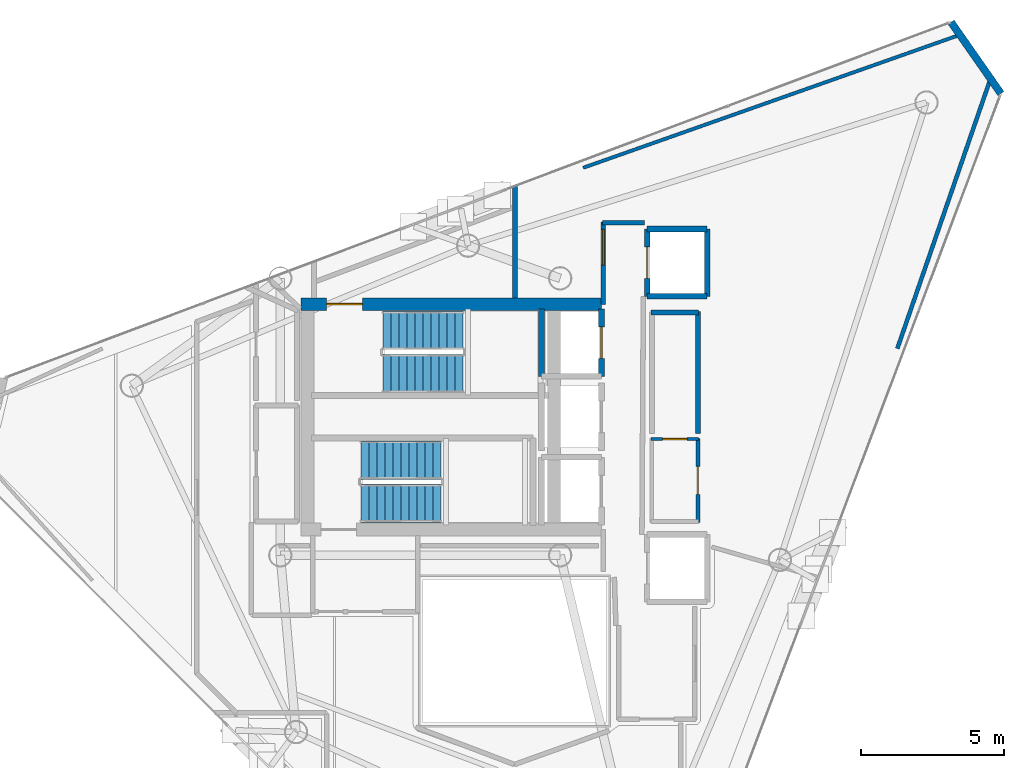
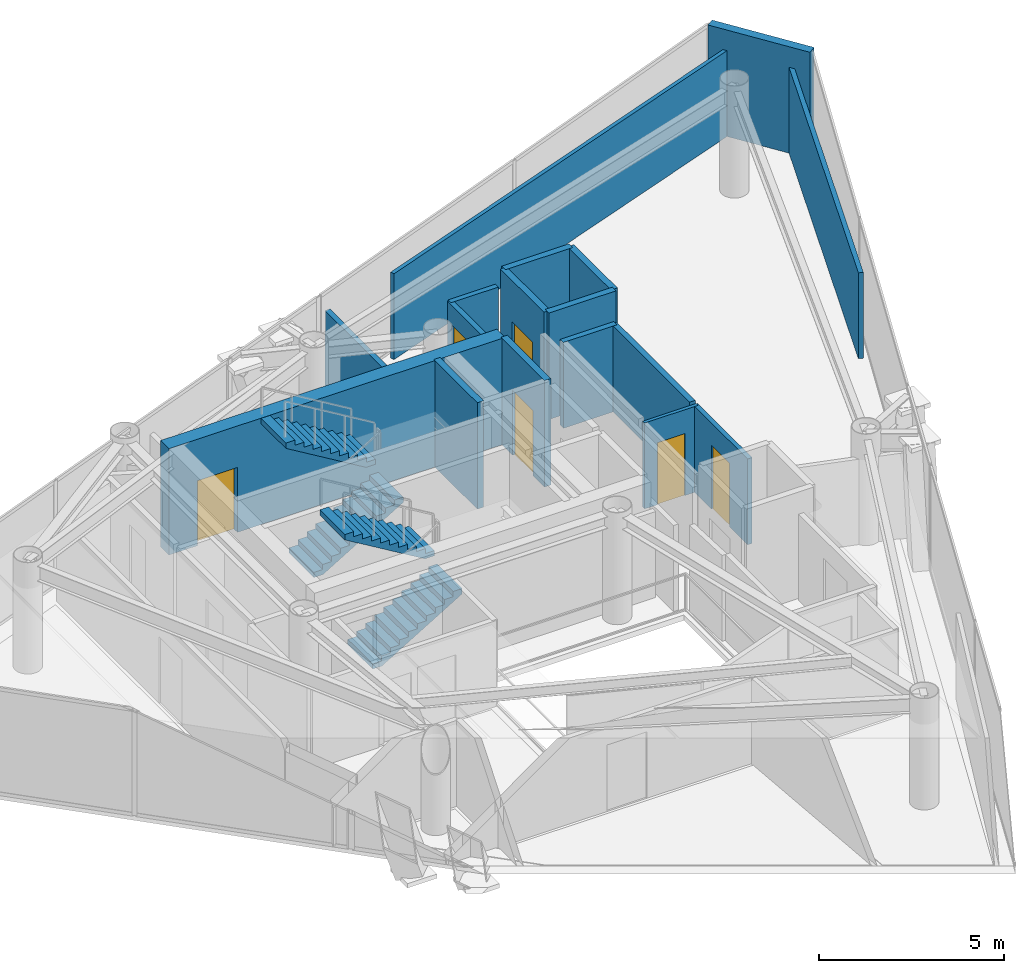
# One storey, part 17 of 19: 17 walls, 6 doors, 4 stair flights, 6 openings, 2 elements without a shape of their own.
"""IFC4 building model written with IfcOpenShell, lengths in metres."""

from ifc_helpers import new_model, si_unit, direction, frame, frame_2d, origin, place, context, subcontext, project, spatial, polyline, rectangle, outline, extrude, material, layer, layer_set, type_object, element, fill, aggregate, save


model = new_model("IFC4")

# Units and contexts
model_context = context("Model", 3, precision=1e-05, world=origin(), true_north=direction((0.0, 1.0)))
body_context = subcontext(model_context, "Body", "Model", "MODEL_VIEW")
ifc_project = project(units=[si_unit("LENGTHUNIT", "METRE"), si_unit("AREAUNIT", "SQUARE_METRE"), si_unit("VOLUMEUNIT", "CUBIC_METRE"), si_unit("PLANEANGLEUNIT", "RADIAN"), si_unit("MASSUNIT", "GRAM", prefix="KILO")], contexts=[model_context])

# Site, building, storey
site_placement = place(None, origin())
site = spatial("IfcSite", under=ifc_project, at=site_placement, CompositionType="ELEMENT")
building_placement = place(site_placement, origin())
building = spatial("IfcBuilding", under=site, at=building_placement, Name="Qianvela Tower", CompositionType="ELEMENT")
storey_placement = place(building_placement, frame((0.0, 0.0, 340.699951171875)))
storey = spatial("IfcBuildingStorey", under=building, at=storey_placement, Name="L88", CompositionType="ELEMENT", Elevation=340.699951171875)

# Wall
ifc_material_1 = material(Name="Terracotta Cladding on Concrete C40", Category="masonry")
ifc_layer_1 = layer(ifc_material_1, 0.260009765625)
ifc_layer_set_1 = layer_set([ifc_layer_1], Name="Terracotta Cladding on Concrete C40")
wall_type_1 = type_object("IfcWallType", Name="TERRACOTTA-WALL-260", PredefinedType="SOLIDWALL", material=ifc_layer_set_1)
wall_1_placement = place(storey_placement, frame((53.83642578125, 40.02099609375, 0.0), z_axis=(0.0, 0.0, 1.0), x_axis=(-0.572667183725, 0.819787958368, 0.0)))
element("IfcWall", 1, at=wall_1_placement, inside=storey, type_object=wall_type_1, Name="L88 Terracotta Chamfer Facet Wall 1", PredefinedType="SOLIDWALL", context=body_context, shape_type="SweptSolid", body=[
    extrude(rectangle(XDim=3.05078125, YDim=0.260009765625, at=frame_2d((1.525390625, 0.0))), origin(), (0.0, 0.0, 1.0), 3.52001953125),
])

# Wall, opening, door
ifc_material_2 = material(Name="Concrete C50", Category="concrete")
ifc_layer_2 = layer(ifc_material_2, 0.449951171875)
ifc_layer_set_2 = layer_set([ifc_layer_2], Name="Concrete C50")
wall_type_2 = type_object("IfcWallType", Name="WT-CORE-450", PredefinedType="SHEAR", material=ifc_layer_set_2)
wall_2_placement = place(storey_placement, frame((29.330078125, 32.64501953125, 0.0), z_axis=(0.0, 0.0, 1.0), x_axis=(1.0, 0.0, 0.0)))
wall_2 = element("IfcWall", 2, at=wall_2_placement, inside=storey, type_object=wall_type_2, Name="L88 North Core Shear Wall", PredefinedType="SHEAR", context=body_context, shape_type="SweptSolid", body=[
    extrude(rectangle(XDim=10.52001953125, YDim=0.449951171875, at=frame_2d((5.260009765625, 0.0))), origin(), (0.0, 0.0, 1.0), 3.52001953125),
])
opening_1_placement = place(wall_2_placement, frame((0.89501953125, 0.0, 0.0)))
opening_1 = element("IfcOpeningElement", 3, at=opening_1_placement, cuts=wall_2, Name="Opening D-ST1", PredefinedType="OPENING", context=body_context, shape_type="SweptSolid", body=[
    extrude(rectangle(XDim=1.25, YDim=2.14990234375, at=frame_2d((0.625, 1.074951171875))), frame((0.0, 0.23486328125, 0.0), z_axis=(0.0, -1.0, 0.0), x_axis=(1.0, 0.0, 0.0)), (0.0, 0.0, 1.0), 0.469970703125),
])
ifc_material_3 = material(Name="Galvanised Fire Steel Q355B", Category="steel")
door_type_1 = type_object("IfcDoorType", Name="DT-STAIR-FD90", OperationType="NOTDEFINED", PredefinedType="DOOR", material=ifc_material_3)
door_1_placement = place(opening_1_placement, origin())
door_1 = element("IfcDoor", 4, at=door_1_placement, inside=storey, type_object=door_type_1, Name="L88 Stair ST-1 Exit Door", OperationType="SINGLE_SWING_RIGHT", OverallHeight=2.14990234375, OverallWidth=1.25, PredefinedType="DOOR", context=body_context, shape_type="SweptSolid", body=[
    extrude(rectangle(XDim=1.25, YDim=2.14990234375, at=frame_2d((0.625, 1.074951171875))), frame((0.0, 0.02490234375, 0.0), z_axis=(0.0, -1.0, 0.0), x_axis=(1.0, 0.0, 0.0)), (0.0, 0.0, 1.0), 0.050048828125),
])
fill(opening_1, door_1)

# Wall
ifc_material_4 = material(Name="Fire-Rated Gypsum and Concrete Block", Category="concrete")
ifc_layer_3 = layer(ifc_material_4, 0.159912109375)
ifc_layer_set_3 = layer_set([ifc_layer_3], Name="Fire-Rated Gypsum and Concrete Block")
wall_type_3 = type_object("IfcWallType", Name="WT-CORR-160", PredefinedType="PARTITIONING", material=ifc_layer_set_3)
wall_3_placement = place(storey_placement, frame((36.819091796875, 36.800048828125, 0.0), z_axis=(0.0, 0.0, 1.0), x_axis=(0.0, -1.0, 0.0)))
element("IfcWall", 5, at=wall_3_placement, inside=storey, type_object=wall_type_3, Name="L88 Partition 2", PredefinedType="PARTITIONING", context=body_context, shape_type="SweptSolid", body=[
    extrude(rectangle(XDim=3.942138671875, YDim=0.159912109375, at=frame_2d((1.97119140625, 0.0))), origin(), (0.0, 0.0, 1.0), 2.840087890625),
])

# Wall, opening, door
wall_4_placement = place(storey_placement, frame((39.910888671875, 32.639892578125, 0.0), z_axis=(0.0, 0.0, 1.0), x_axis=(0.0, 1.0, 0.0)))
wall_4 = element("IfcWall", 6, at=wall_4_placement, inside=storey, type_object=wall_type_3, Name="L88 Partition 12", PredefinedType="PARTITIONING", context=body_context, shape_type="SweptSolid", body=[
    extrude(rectangle(XDim=2.880126953125, YDim=0.159912109375, at=frame_2d((1.43994140625, 0.0))), origin(), (0.0, 0.0, 1.0), 2.840087890625),
])
opening_2_placement = place(wall_4_placement, frame((1.375, 0.0, 0.0)))
opening_2 = element("IfcOpeningElement", 7, at=opening_2_placement, cuts=wall_4, Name="Opening D-LG1", PredefinedType="OPENING", context=body_context, shape_type="SweptSolid", body=[
    extrude(rectangle(XDim=1.25, YDim=2.199951171875, at=frame_2d((0.625, 1.10009765625))), frame((0.0, 0.08984375, 0.0), z_axis=(0.0, -1.0, 0.0), x_axis=(1.0, 0.0, 0.0)), (0.0, 0.0, 1.0), 0.179931640625),
])
ifc_material_5 = material(Name="Anodised Aluminium Acoustic Glass Door", Category="aluminium")
door_type_2 = type_object("IfcDoorType", Name="DT-LOUNGE-1250", OperationType="NOTDEFINED", PredefinedType="DOOR", material=ifc_material_5)
door_2_placement = place(opening_2_placement, origin())
door_2 = element("IfcDoor", 8, at=door_2_placement, inside=storey, type_object=door_type_2, Name="L88 Door Social Sitting Lounge L88-04 to L88 Lift Lobby", OperationType="SINGLE_SWING_RIGHT", OverallHeight=2.199951171875, OverallWidth=1.25, PredefinedType="DOOR", context=body_context, shape_type="SweptSolid", body=[
    extrude(rectangle(XDim=1.25, YDim=2.199951171875, at=frame_2d((0.625, 1.10009765625))), frame((0.0, 0.02490234375, 0.0), z_axis=(0.0, -1.0, 0.0), x_axis=(1.0, 0.0, 0.0)), (0.0, 0.0, 1.0), 0.050048828125),
])
fill(opening_2, door_2)

# Wall
wall_5_placement = place(storey_placement, frame((39.8798828125, 35.489013671875, 0.0), z_axis=(0.0, 0.0, 1.0), x_axis=(1.0, 0.0, 0.0)))
element("IfcWall", 9, at=wall_5_placement, inside=storey, type_object=wall_type_3, Name="L88 Partition 13", PredefinedType="PARTITIONING", context=body_context, shape_type="SweptSolid", body=[
    extrude(rectangle(XDim=1.480224609375, YDim=0.159912109375, at=frame_2d((0.740234375, 0.0))), origin(), (0.0, 0.0, 1.0), 2.840087890625),
])

# Wall, opening, door
ifc_material_6 = material(Name="Lightweight Gypsum Room Partition")
ifc_layer_4 = layer(ifc_material_6, 0.10498046875)
ifc_layer_set_4 = layer_set([ifc_layer_4], Name="Lightweight Gypsum Room Partition")
wall_type_4 = type_object("IfcWallType", Name="WT-PART-105", PredefinedType="PARTITIONING", material=ifc_layer_set_4)
wall_6_placement = place(storey_placement, frame((41.580078125, 27.9189453125, 0.0), z_axis=(0.0, 0.0, 1.0), x_axis=(1.0, 0.0, 0.0)))
wall_6 = element("IfcWall", 10, at=wall_6_placement, inside=storey, type_object=wall_type_4, Name="L88 Partition 21", PredefinedType="PARTITIONING", context=body_context, shape_type="SweptSolid", body=[
    extrude(rectangle(XDim=1.669921875, YDim=0.10498046875, at=frame_2d((0.8349609375, 0.0))), origin(), (0.0, 0.0, 1.0), 2.840087890625),
])
opening_3_placement = place(wall_6_placement, frame((0.405029296875, 0.0, 0.0)))
opening_3 = element("IfcOpeningElement", 11, at=opening_3_placement, cuts=wall_6, Name="Opening D-WC1", PredefinedType="OPENING", context=body_context, shape_type="SweptSolid", body=[
    extrude(rectangle(XDim=0.860107421875, YDim=2.050048828125, at=frame_2d((0.43017578125, 1.02490234375))), frame((0.0, 0.0625, 0.0), z_axis=(0.0, -1.0, 0.0), x_axis=(1.0, 0.0, 0.0)), (0.0, 0.0, 1.0), 0.125),
])
ifc_material_7 = material(Name="Moisture-Sealed Acoustic Timber Door", Category="wood")
door_type_3 = type_object("IfcDoorType", Name="DT-WC-860", OperationType="NOTDEFINED", PredefinedType="DOOR", material=ifc_material_7)
door_3_placement = place(opening_3_placement, origin())
door_3 = element("IfcDoor", 12, at=door_3_placement, inside=storey, type_object=door_type_3, Name="L88 Door L88 Accessible WC to L88 Cleaner Store", OperationType="SINGLE_SWING_RIGHT", OverallHeight=2.050048828125, OverallWidth=0.860107421875, PredefinedType="DOOR", context=body_context, shape_type="SweptSolid", body=[
    extrude(rectangle(XDim=0.860107421875, YDim=2.050048828125, at=frame_2d((0.43017578125, 1.02490234375))), frame((0.0, 0.02490234375, 0.0), z_axis=(0.0, -1.0, 0.0), x_axis=(1.0, 0.0, 0.0)), (0.0, 0.0, 1.0), 0.050048828125),
])
fill(opening_3, door_3)

# Walls
ifc_material_8 = material(Name="Insulated Gypsum Stud Partition")
ifc_layer_5 = layer(ifc_material_8, 0.1201171875)
ifc_layer_set_5 = layer_set([ifc_layer_5], Name="Insulated Gypsum Stud Partition")
wall_type_5 = type_object("IfcWallType", Name="WT-PART-120", PredefinedType="PARTITIONING", material=ifc_layer_set_5)
wall_7_placement = place(storey_placement, frame((39.20849609375, 37.422119140625, 0.0), z_axis=(0.0, 0.0, 1.0), x_axis=(0.943004810964, 0.332779095645, 0.0)))
element("IfcWall", 13, at=wall_7_placement, inside=storey, type_object=wall_type_5, Name="L88 Partition 86 seg 2", PredefinedType="PARTITIONING", context=body_context, shape_type="SweptSolid", body=[
    extrude(rectangle(XDim=14.0087890625, YDim=0.1201171875, at=frame_2d((7.00439453125, 0.0))), origin(), (0.0, 0.0, 1.0), 2.840087890625),
])
ifc_material_9 = material(Name="Moisture-Resistant Acoustic Plumbing Wall")
ifc_layer_6 = layer(ifc_material_9, 0.175048828125)
ifc_layer_set_6 = layer_set([ifc_layer_6], Name="Moisture-Resistant Acoustic Plumbing Wall")
wall_type_6 = type_object("IfcWallType", Name="WT-PLUMB-175", PredefinedType="PLUMBINGWALL", material=ifc_layer_set_6)
wall_8_placement = place(storey_placement, frame((41.580078125, 32.34912109375, 0.0), z_axis=(0.0, 0.0, 1.0), x_axis=(1.0, 0.0, 0.0)))
element("IfcWall", 14, at=wall_8_placement, inside=storey, type_object=wall_type_6, Name="L88 Partition 25", PredefinedType="PLUMBINGWALL", context=body_context, shape_type="SweptSolid", body=[
    extrude(rectangle(XDim=1.669921875, YDim=0.175048828125, at=frame_2d((0.8349609375, 0.0))), origin(), (0.0, 0.0, 1.0), 2.840087890625),
])
wall_9_placement = place(storey_placement, frame((43.218994140625, 32.3798828125, 0.0), z_axis=(0.0, 0.0, 1.0), x_axis=(0.0, -1.0, 0.0)))
element("IfcWall", 15, at=wall_9_placement, inside=storey, type_object=wall_type_6, Name="L88 Partition 26", PredefinedType="PLUMBINGWALL", context=body_context, shape_type="SweptSolid", body=[
    extrude(rectangle(XDim=4.269775390625, YDim=0.175048828125, at=frame_2d((2.134765625, 0.0))), origin(), (0.0, 0.0, 1.0), 2.840087890625),
])

# Wall, opening, door
ifc_material_10 = material(Name="Acoustic Double Gypsum Stud Partition")
ifc_layer_7 = layer(ifc_material_10, 0.139892578125)
ifc_layer_set_7 = layer_set([ifc_layer_7], Name="Acoustic Double Gypsum Stud Partition")
wall_type_7 = type_object("IfcWallType", Name="WT-ROOM-140", PredefinedType="PARTITIONING", material=ifc_layer_set_7)
wall_10_placement = place(storey_placement, frame((43.218994140625, 27.949951171875, 0.0), z_axis=(0.0, 0.0, 1.0), x_axis=(0.0, -1.0, 0.0)))
wall_10 = element("IfcWall", 16, at=wall_10_placement, inside=storey, type_object=wall_type_7, Name="L88 Partition 22", PredefinedType="PARTITIONING", context=body_context, shape_type="SweptSolid", body=[
    extrude(rectangle(XDim=2.949951171875, YDim=0.139892578125, at=frame_2d((1.47509765625, 0.0))), origin(), (0.0, 0.0, 1.0), 2.840087890625),
])
opening_4_placement = place(wall_10_placement, frame((0.985107421875, 0.0, 0.0)))
opening_4 = element("IfcOpeningElement", 17, at=opening_4_placement, cuts=wall_10, Name="Opening D-RM1", PredefinedType="OPENING", context=body_context, shape_type="SweptSolid", body=[
    extrude(rectangle(XDim=0.97998046875, YDim=2.10009765625, at=frame_2d((0.489990234375, 1.050048828125))), frame((0.0, 0.079833984375, 0.0), z_axis=(0.0, -1.0, 0.0), x_axis=(1.0, 0.0, 0.0)), (0.0, 0.0, 1.0), 0.159912109375),
])
ifc_material_11 = material(Name="Solid Core Acoustic Timber Fire Door", Category="wood")
door_type_4 = type_object("IfcDoorType", Name="DT-ROOM-FD60", OperationType="NOTDEFINED", PredefinedType="DOOR", material=ifc_material_11)
door_4_placement = place(opening_4_placement, origin())
door_4 = element("IfcDoor", 18, at=door_4_placement, inside=storey, type_object=door_type_4, Name="L88 Door L88 Cleaner Store to Social Sitting Lounge L88-04", OperationType="SINGLE_SWING_LEFT", OverallHeight=2.10009765625, OverallWidth=0.97998046875, PredefinedType="DOOR", context=body_context, shape_type="SweptSolid", body=[
    extrude(rectangle(XDim=0.97998046875, YDim=2.10009765625, at=frame_2d((0.489990234375, 1.050048828125))), frame((0.0, 0.02490234375, 0.0), z_axis=(0.0, -1.0, 0.0), x_axis=(1.0, 0.0, 0.0)), (0.0, 0.0, 1.0), 0.050048828125),
])
fill(opening_4, door_4)

# Wall
wall_11_placement = place(storey_placement, frame((53.478515625, 40.562255859375, 0.0), z_axis=(0.0, 0.0, 1.0), x_axis=(-0.326414961358, -0.945226572311, 0.0)))
element("IfcWall", 19, at=wall_11_placement, inside=storey, type_object=wall_type_7, Name="L88 Partition 88 seg 1", PredefinedType="PARTITIONING", context=body_context, shape_type="SweptSolid", body=[
    extrude(rectangle(XDim=10.018798828125, YDim=0.139892578125, at=frame_2d((5.00927734375, 0.0))), origin(), (0.0, 0.0, 1.0), 2.840087890625),
])

# Wall, opening, door
ifc_material_12 = material(Name="Concrete C50", Category="concrete")
ifc_layer_8 = layer(ifc_material_12, 0.199951171875)
ifc_layer_set_8 = layer_set([ifc_layer_8], Name="Concrete C50")
wall_type_8 = type_object("IfcWallType", Name="WT-SHAFT-200", PredefinedType="SOLIDWALL", material=ifc_layer_set_8)
wall_12_placement = place(storey_placement, frame((39.85009765625, 30.1201171875, 0.0), z_axis=(0.0, 0.0, 1.0), x_axis=(0.0, 1.0, 0.0)))
wall_12 = element("IfcWall", 20, at=wall_12_placement, inside=storey, type_object=wall_type_8, Name="L88 Lift FL-1 E Shaft Wall", PredefinedType="SOLIDWALL", context=body_context, shape_type="SweptSolid", body=[
    extrude(rectangle(XDim=2.35986328125, YDim=0.199951171875, at=frame_2d((1.179931640625, 0.0))), origin(), (0.0, 0.0, 1.0), 3.52001953125),
])
opening_5_placement = place(wall_12_placement, frame((0.6298828125, 0.0, 0.0)))
opening_5 = element("IfcOpeningElement", 21, at=opening_5_placement, cuts=wall_12, Name="Opening LD-01", PredefinedType="OPENING", context=body_context, shape_type="SweptSolid", body=[
    extrude(rectangle(XDim=1.10009765625, YDim=2.14990234375, at=frame_2d((0.550048828125, 1.074951171875))), frame((0.0, 0.10986328125, 0.0), z_axis=(0.0, -1.0, 0.0), x_axis=(1.0, 0.0, 0.0)), (0.0, 0.0, 1.0), 0.219970703125),
])
ifc_material_13 = material(Name="Brushed Stainless Steel Lift Landing Door", Category="steel")
door_type_5 = type_object("IfcDoorType", Name="DT-LIFT-SLIDE-1100", OperationType="SLIDING_TO_LEFT", PredefinedType="DOOR", material=ifc_material_13)
door_5_placement = place(opening_5_placement, origin())
door_5 = element("IfcDoor", 22, at=door_5_placement, inside=storey, type_object=door_type_5, Name="L88 Lift FL-1 Sliding Landing Door", OperationType="SLIDING_TO_LEFT", OverallHeight=2.14990234375, OverallWidth=1.10009765625, PredefinedType="DOOR", context=body_context, shape_type="SweptSolid", body=[
    extrude(rectangle(XDim=1.10009765625, YDim=2.14990234375, at=frame_2d((0.550048828125, 1.074951171875))), frame((0.0, 0.02490234375, 0.0), z_axis=(0.0, -1.0, 0.0), x_axis=(1.0, 0.0, 0.0)), (0.0, 0.0, 1.0), 0.050048828125),
])
fill(opening_5, door_5)

# Walls
wall_13_placement = place(storey_placement, frame((37.75, 30.1201171875, 0.0), z_axis=(0.0, 0.0, 1.0), x_axis=(0.0, 1.0, 0.0)))
element("IfcWall", 23, at=wall_13_placement, inside=storey, type_object=wall_type_8, Name="L88 Lift FL-1 W Shaft Wall", PredefinedType="SOLIDWALL", context=body_context, shape_type="SweptSolid", body=[
    extrude(rectangle(XDim=2.35986328125, YDim=0.199951171875, at=frame_2d((1.179931640625, 0.0))), origin(), (0.0, 0.0, 1.0), 3.52001953125),
])
wall_14_placement = place(storey_placement, frame((43.550048828125, 32.919921875, 0.0), z_axis=(0.0, 0.0, 1.0), x_axis=(0.0, 1.0, 0.0)))
element("IfcWall", 24, at=wall_14_placement, inside=storey, type_object=wall_type_8, Name="L88 Lift PL-H3 E Shaft Wall", PredefinedType="SOLIDWALL", context=body_context, shape_type="SweptSolid", body=[
    extrude(rectangle(XDim=2.360107421875, YDim=0.199951171875, at=frame_2d((1.18017578125, 0.0))), origin(), (0.0, 0.0, 1.0), 3.52001953125),
])

# Wall, opening, door
wall_15_placement = place(storey_placement, frame((41.449951171875, 32.919921875, 0.0), z_axis=(0.0, 0.0, 1.0), x_axis=(0.0, 1.0, 0.0)))
wall_15 = element("IfcWall", 25, at=wall_15_placement, inside=storey, type_object=wall_type_8, Name="L88 Lift PL-H3 W Shaft Wall", PredefinedType="SOLIDWALL", context=body_context, shape_type="SweptSolid", body=[
    extrude(rectangle(XDim=2.360107421875, YDim=0.199951171875, at=frame_2d((1.18017578125, 0.0))), origin(), (0.0, 0.0, 1.0), 3.52001953125),
])
opening_6_placement = place(wall_15_placement, frame((0.6298828125, 0.0, 0.0)))
opening_6 = element("IfcOpeningElement", 26, at=opening_6_placement, cuts=wall_15, Name="Opening LD-01", PredefinedType="OPENING", context=body_context, shape_type="SweptSolid", body=[
    extrude(rectangle(XDim=1.10009765625, YDim=2.14990234375, at=frame_2d((0.550048828125, 1.074951171875))), frame((0.0, 0.10986328125, 0.0), z_axis=(0.0, -1.0, 0.0), x_axis=(1.0, 0.0, 0.0)), (0.0, 0.0, 1.0), 0.219970703125),
])
door_6_placement = place(opening_6_placement, origin())
door_6 = element("IfcDoor", 27, at=door_6_placement, inside=storey, type_object=door_type_5, Name="L88 Lift PL-H3 Sliding Landing Door", OperationType="SLIDING_TO_LEFT", OverallHeight=2.14990234375, OverallWidth=1.10009765625, PredefinedType="DOOR", context=body_context, shape_type="SweptSolid", body=[
    extrude(rectangle(XDim=1.10009765625, YDim=2.14990234375, at=frame_2d((0.550048828125, 1.074951171875))), frame((0.0, 0.02490234375, 0.0), z_axis=(0.0, -1.0, 0.0), x_axis=(1.0, 0.0, 0.0)), (0.0, 0.0, 1.0), 0.050048828125),
])
fill(opening_6, door_6)

# Walls
for number, where, z_axis, x_axis, name in (
    (28, (41.449951171875, 35.280029296875, 0.0), (0.0, 0.0, 1.0), (1.0, 0.0, 0.0), "L88 Lift PL-H3 N Shaft Wall"),
    (29, (41.449951171875, 32.919921875, 0.0), (0.0, 0.0, 1.0), (1.0, 0.0, 0.0), "L88 Lift PL-H3 S Shaft Wall"),
):
    element("IfcWall", number, at=place(storey_placement, frame(where, z_axis=z_axis, x_axis=x_axis)), inside=storey, type_object=wall_type_8, Name=name, PredefinedType="SOLIDWALL", context=body_context, shape_type="SweptSolid", body=[
        extrude(rectangle(XDim=2.10009765625, YDim=0.199951171875, at=frame_2d((1.050048828125, 0.0))), origin(), (0.0, 0.0, 1.0), 3.52001953125),
    ])

# Stair, stair flights
ifc_material_14 = material(Name="Concrete C40", Category="concrete")
stair_type = type_object("IfcStairType", Name="ST-DOGLEG-1350-R168-N22", PredefinedType="HALF_TURN_STAIR", material=ifc_material_14)
stair_1_placement = place(storey_placement, origin())
stair_1 = element("IfcStair", 30, at=stair_1_placement, inside=storey, type_object=stair_type, Name="L88 Smoke-Proof Core Stair ST-1", PredefinedType="HALF_TURN_STAIR")
ifc_material_15 = material(Name="Concrete C40", Category="concrete")
stair_flight_type = type_object("IfcStairFlightType", Name="STF-STRAIGHT-R168-P11", PredefinedType="STRAIGHT", material=ifc_material_15)
stair_flight_1_placement = place(storey_placement, frame((32.199951171875, 30.215087890625, 0.0), z_axis=(0.0, 0.0, 1.0), x_axis=(1.0, 0.0, 0.0)))
stair_flight_1 = element("IfcStairFlight", 31, at=stair_flight_1_placement, type_object=stair_flight_type, Name="ST-1 flight 1", NumberOfRisers=11, NumberOfTreads=10, PredefinedType="STRAIGHT", RiserHeight=0.168181818, TreadLength=0.28, context=body_context, shape_type="SweptSolid", body=[
    extrude(outline(polyline([(0.0, 0.0), (0.0, 0.168212890625), (0.280029296875, 0.168212890625), (0.280029296875, 0.33642578125), (0.56005859375, 0.33642578125), (0.56005859375, 0.504638671875), (0.840087890625, 0.504638671875), (0.840087890625, 0.672607421875), (1.1201171875, 0.672607421875), (1.1201171875, 0.8408203125), (1.39990234375, 0.8408203125), (1.39990234375, 1.009033203125), (1.679931640625, 1.009033203125), (1.679931640625, 1.17724609375), (1.9599609375, 1.17724609375), (1.9599609375, 1.345458984375), (2.239990234375, 1.345458984375), (2.239990234375, 1.513671875), (2.52001953125, 1.513671875), (2.52001953125, 1.681884765625), (2.800048828125, 1.681884765625), (2.800048828125, 1.85009765625), (2.800048828125, 1.5068359375), (0.291015625, 0.0), (0.0, 0.0)])), frame((0.0, 0.675048828125, 0.0), z_axis=(0.0, -1.0, 0.0), x_axis=(1.0, 0.0, 0.0)), (0.0, 0.0, 1.0), 1.35009765625),
])
stair_flight_2_placement = place(storey_placement, frame((35.0, 31.72509765625, 1.85009765625), z_axis=(0.0, 0.0, 1.0), x_axis=(-1.0, 0.0, 0.0)))
stair_flight_2 = element("IfcStairFlight", 32, at=stair_flight_2_placement, type_object=stair_flight_type, Name="ST-1 flight 2", NumberOfRisers=11, NumberOfTreads=10, PredefinedType="STRAIGHT", RiserHeight=0.168181818, TreadLength=0.28, context=body_context, shape_type="SweptSolid", body=[
    extrude(outline(polyline([(0.0, 0.0), (0.0, 0.168212890625), (0.280029296875, 0.168212890625), (0.280029296875, 0.33642578125), (0.56005859375, 0.33642578125), (0.56005859375, 0.504638671875), (0.840087890625, 0.504638671875), (0.840087890625, 0.672607421875), (1.1201171875, 0.672607421875), (1.1201171875, 0.8408203125), (1.39990234375, 0.8408203125), (1.39990234375, 1.009033203125), (1.679931640625, 1.009033203125), (1.679931640625, 1.17724609375), (1.9599609375, 1.17724609375), (1.9599609375, 1.345458984375), (2.239990234375, 1.345458984375), (2.239990234375, 1.513671875), (2.52001953125, 1.513671875), (2.52001953125, 1.681884765625), (2.800048828125, 1.681884765625), (2.800048828125, 1.85009765625), (2.800048828125, 1.5068359375), (0.291015625, 0.0), (0.0, 0.0)])), frame((0.0, 0.675048828125, 0.0), z_axis=(0.0, -1.0, 0.0), x_axis=(1.0, 0.0, 0.0)), (0.0, 0.0, 1.0), 1.35009765625),
])
aggregate(stair_1, [stair_flight_1, stair_flight_2])

stair_2_placement = place(storey_placement, origin())
stair_2 = element("IfcStair", 33, at=stair_2_placement, inside=storey, type_object=stair_type, Name="L88 Smoke-Proof Core Stair ST-2", PredefinedType="HALF_TURN_STAIR")
stair_flight_3_placement = place(storey_placement, frame((31.419921875, 25.675048828125, 0.0), z_axis=(0.0, 0.0, 1.0), x_axis=(1.0, 0.0, 0.0)))
stair_flight_3 = element("IfcStairFlight", 34, at=stair_flight_3_placement, type_object=stair_flight_type, Name="ST-2 flight 1", NumberOfRisers=11, NumberOfTreads=10, PredefinedType="STRAIGHT", RiserHeight=0.168181818, TreadLength=0.28, context=body_context, shape_type="SweptSolid", body=[
    extrude(outline(polyline([(0.0, 0.0), (0.0, 0.168212890625), (0.280029296875, 0.168212890625), (0.280029296875, 0.33642578125), (0.56005859375, 0.33642578125), (0.56005859375, 0.504638671875), (0.840087890625, 0.504638671875), (0.840087890625, 0.672607421875), (1.1201171875, 0.672607421875), (1.1201171875, 0.8408203125), (1.39990234375, 0.8408203125), (1.39990234375, 1.009033203125), (1.679931640625, 1.009033203125), (1.679931640625, 1.17724609375), (1.9599609375, 1.17724609375), (1.9599609375, 1.345458984375), (2.239990234375, 1.345458984375), (2.239990234375, 1.513671875), (2.52001953125, 1.513671875), (2.52001953125, 1.681884765625), (2.800048828125, 1.681884765625), (2.800048828125, 1.85009765625), (2.800048828125, 1.5068359375), (0.291015625, 0.0), (0.0, 0.0)])), frame((0.0, 0.675048828125, 0.0), z_axis=(0.0, -1.0, 0.0), x_axis=(1.0, 0.0, 0.0)), (0.0, 0.0, 1.0), 1.35009765625),
])
stair_flight_4_placement = place(storey_placement, frame((34.219970703125, 27.18505859375, 1.85009765625), z_axis=(0.0, 0.0, 1.0), x_axis=(-1.0, 0.0, 0.0)))
stair_flight_4 = element("IfcStairFlight", 35, at=stair_flight_4_placement, type_object=stair_flight_type, Name="ST-2 flight 2", NumberOfRisers=11, NumberOfTreads=10, PredefinedType="STRAIGHT", RiserHeight=0.168181818, TreadLength=0.28, context=body_context, shape_type="SweptSolid", body=[
    extrude(outline(polyline([(0.0, 0.0), (0.0, 0.168212890625), (0.280029296875, 0.168212890625), (0.280029296875, 0.33642578125), (0.56005859375, 0.33642578125), (0.56005859375, 0.504638671875), (0.840087890625, 0.504638671875), (0.840087890625, 0.672607421875), (1.1201171875, 0.672607421875), (1.1201171875, 0.8408203125), (1.39990234375, 0.8408203125), (1.39990234375, 1.009033203125), (1.679931640625, 1.009033203125), (1.679931640625, 1.17724609375), (1.9599609375, 1.17724609375), (1.9599609375, 1.345458984375), (2.239990234375, 1.345458984375), (2.239990234375, 1.513671875), (2.52001953125, 1.513671875), (2.52001953125, 1.681884765625), (2.800048828125, 1.681884765625), (2.800048828125, 1.85009765625), (2.800048828125, 1.5068359375), (0.291015625, 0.0), (0.0, 0.0)])), frame((0.0, 0.675048828125, 0.0), z_axis=(0.0, -1.0, 0.0), x_axis=(1.0, 0.0, 0.0)), (0.0, 0.0, 1.0), 1.35009765625),
])
aggregate(stair_2, [stair_flight_3, stair_flight_4])

save(model, "model.ifc")
